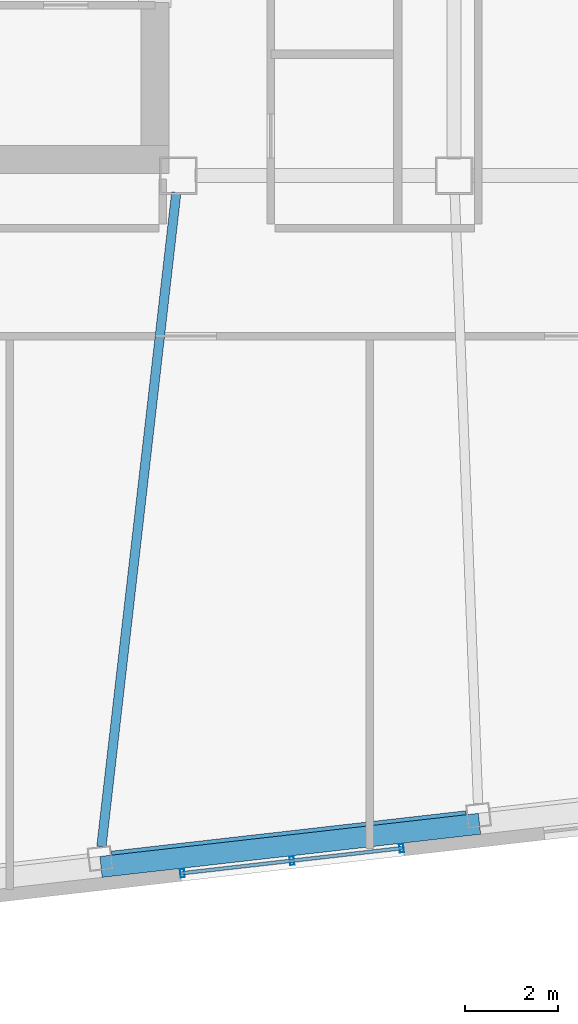
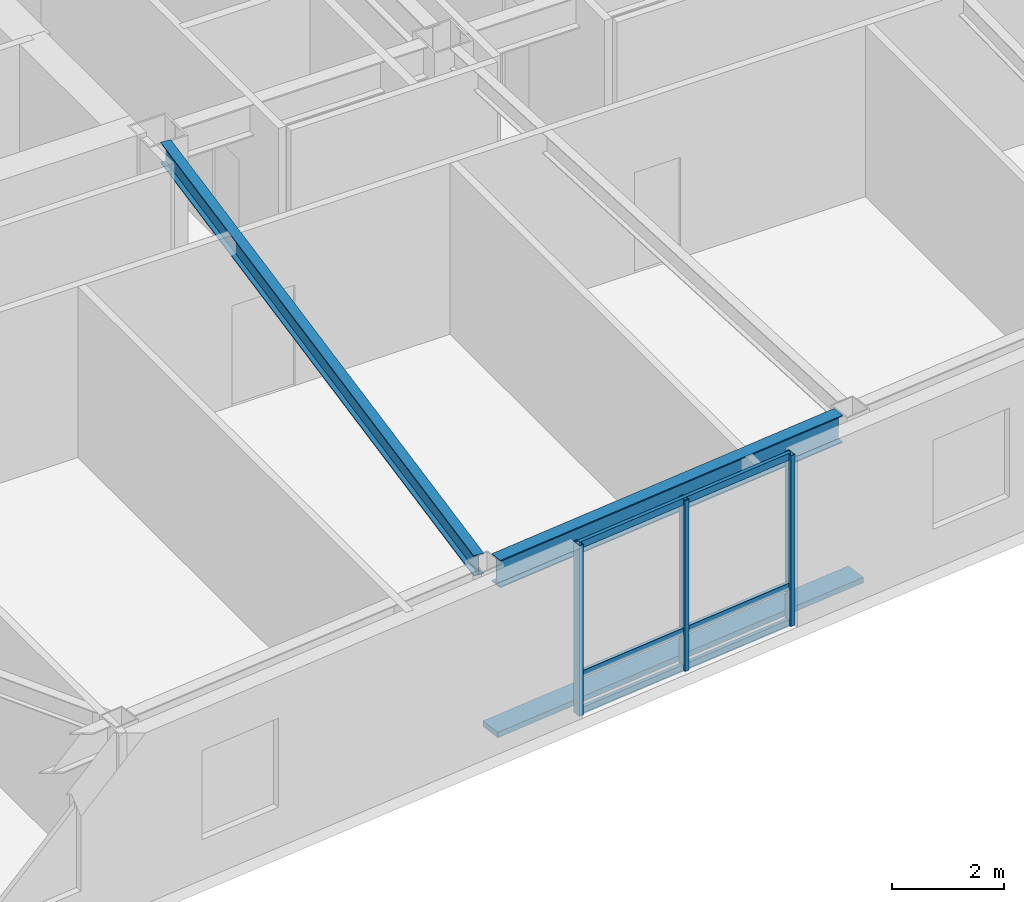
# One storey, part 6 of 21: 7 members, 2 beams, 1 element without a shape of its own.
"""IFC4 building model written with IfcOpenShell, lengths in metres."""

from ifc_helpers import new_model, si_unit, direction, frame, origin, origin_2d, place, context, subcontext, project, spatial, rectangle, hollow_rectangle, i_section, extrude, material, layer, layer_set, material_profile, profile_set, type_object, element, aggregate, save


model = new_model("IFC4")

# Units and contexts
model_context = context("Model", 3, precision=1e-05, world=origin(), true_north=direction((0.0, 1.0)))
body_context = subcontext(model_context, "Body", "Model", "MODEL_VIEW")
ifc_project = project(units=[si_unit("LENGTHUNIT", "METRE"), si_unit("AREAUNIT", "SQUARE_METRE"), si_unit("VOLUMEUNIT", "CUBIC_METRE"), si_unit("PLANEANGLEUNIT", "RADIAN"), si_unit("MASSUNIT", "GRAM", prefix="KILO")], contexts=[model_context])

# Site, building, storey
site_placement = place(None, origin())
site = spatial("IfcSite", under=ifc_project, at=site_placement, CompositionType="ELEMENT")
building_placement = place(site_placement, origin())
building = spatial("IfcBuilding", under=site, at=building_placement, Name="Tavrogorsk Clinical Tower", CompositionType="ELEMENT")
storey_placement = place(building_placement, frame((0.0, 0.0, 247.0)))
storey = spatial("IfcBuildingStorey", under=building, at=storey_placement, Name="L57", CompositionType="ELEMENT", Elevation=247.0)

# Member
ifc_material_1 = material(Name="Anodised aluminium alloy AW-6063", Category="aluminium")
ifc_material_profile_1 = material_profile(ifc_material_1, rectangle(XDim=0.449951171875, YDim=0.1201171875, at=origin_2d()), Name="ALU-SUNSHADE-450x120")
ifc_profile_set_1 = profile_set([ifc_material_profile_1], Name="Anodised aluminium alloy AW-6063")
member_type_1 = type_object("IfcMemberType", Name="ChicagoSunshade_450x120", PredefinedType="USERDEFINED", material=ifc_profile_set_1)
member_1_placement = place(storey_placement, frame((-11.951904296875, -21.136474609375, 0.179931640625), z_axis=(0.9935729766, 0.113193375116, 0.0), x_axis=(-0.113193375116, 0.9935729766, 0.0)))
element("IfcMember", 1, at=member_1_placement, inside=storey, type_object=member_type_1, Name="L57 South Aluminium Sunshade S3", ObjectType="SUNSHADE", PredefinedType="USERDEFINED", context=body_context, shape_type="SweptSolid", body=[
    extrude(rectangle(XDim=0.449951171875, YDim=0.1201171875, at=origin_2d()), origin(), (0.0, 0.0, 1.0), 8.148681640625),
])

# Curtain wall, members
ifc_material_2 = material(Name="Anodised aluminium and triple IGU glazing", Category="aluminium")
ifc_layer = layer(ifc_material_2, 0.179931640625)
ifc_layer_set = layer_set([ifc_layer], Name="Anodised aluminium and triple IGU glazing")
curtain_wall_type = type_object("IfcCurtainWallType", Name="CW3_SouthSlot", PredefinedType="NOTDEFINED", material=ifc_layer_set)
curtain_wall_placement = place(storey_placement, origin())
curtain_wall = element("IfcCurtainWall", 2, at=curtain_wall_placement, inside=storey, type_object=curtain_wall_type, Name="L57 Curtain Wall CW-L57-S-SLOT-1", PredefinedType="NOTDEFINED")
ifc_material_3 = material(Name="Anodised aluminium alloy AW-6060", Category="aluminium")
ifc_material_profile_2 = material_profile(ifc_material_3, hollow_rectangle(XDim=0.090087890625, YDim=0.179931640625, WallThickness=0.00634765625, at=origin_2d()), Name="RHS-180x90x6.3")
ifc_profile_set_2 = profile_set([ifc_material_profile_2], Name="Anodised aluminium alloy AW-6060")
member_type_2 = type_object("IfcMemberType", Name="CwMullion_180x90", PredefinedType="MULLION", material=ifc_profile_set_2)
member_2_placement = place(storey_placement, frame((-10.21044921875, -21.270263671875, 0.0), z_axis=(0.0, 0.0, 1.0), x_axis=(0.993571855603, 0.11320321441, 0.0)))
member_2 = element("IfcMember", 3, at=member_2_placement, type_object=member_type_2, Name="CW-L57-S-SLOT-1 Mullion 1", PredefinedType="MULLION", context=body_context, shape_type="SweptSolid", body=[
    extrude(hollow_rectangle(XDim=0.090087890625, YDim=0.179931640625, WallThickness=0.00634765625, at=origin_2d()), origin(), (0.0, 0.0, 1.0), 3.739990234375),
])
member_3_placement = place(storey_placement, frame((-7.866455078125, -21.003173828125, 0.0), z_axis=(0.0, 0.0, 1.0), x_axis=(0.993571855603, 0.11320321441, 0.0)))
member_3 = element("IfcMember", 4, at=member_3_placement, type_object=member_type_2, Name="CW-L57-S-SLOT-1 Mullion 2", PredefinedType="MULLION", context=body_context, shape_type="SweptSolid", body=[
    extrude(hollow_rectangle(XDim=0.090087890625, YDim=0.179931640625, WallThickness=0.00634765625, at=origin_2d()), origin(), (0.0, 0.0, 1.0), 3.739990234375),
])
member_4_placement = place(storey_placement, frame((-5.522705078125, -20.736083984375, 0.0), z_axis=(0.0, 0.0, 1.0), x_axis=(0.993571855603, 0.11320321441, 0.0)))
member_4 = element("IfcMember", 5, at=member_4_placement, type_object=member_type_2, Name="CW-L57-S-SLOT-1 Mullion 3", PredefinedType="MULLION", context=body_context, shape_type="SweptSolid", body=[
    extrude(hollow_rectangle(XDim=0.090087890625, YDim=0.179931640625, WallThickness=0.00634765625, at=origin_2d()), origin(), (0.0, 0.0, 1.0), 3.739990234375),
])
ifc_material_4 = material(Name="Anodised aluminium alloy AW-6060", Category="aluminium")
ifc_material_profile_3 = material_profile(ifc_material_4, hollow_rectangle(XDim=0.074951171875, YDim=0.14990234375, WallThickness=0.0048828125, at=origin_2d()), Name="RHS-150x75x5")
ifc_profile_set_3 = profile_set([ifc_material_profile_3], Name="Anodised aluminium alloy AW-6060")
member_type_3 = type_object("IfcMemberType", Name="CwTransom_150x75", PredefinedType="USERDEFINED", material=ifc_profile_set_3)
member_5_placement = place(storey_placement, frame((-10.21044921875, -21.270263671875, 0.050048828125), z_axis=(0.993569979218, 0.113219682023, 0.0), x_axis=(-0.113219682023, 0.993569979218, 0.0)))
member_5 = element("IfcMember", 6, at=member_5_placement, type_object=member_type_3, Name="CW-L57-S-SLOT-1 Transom 1", ObjectType="TRANSOM", PredefinedType="USERDEFINED", context=body_context, shape_type="SweptSolid", body=[
    extrude(hollow_rectangle(XDim=0.074951171875, YDim=0.14990234375, WallThickness=0.0048828125, at=origin_2d()), origin(), (0.0, 0.0, 1.0), 4.718017578125),
])
member_6_placement = place(storey_placement, frame((-10.21044921875, -21.270263671875, 0.85009765625), z_axis=(0.993569979218, 0.113219682023, 0.0), x_axis=(-0.113219682023, 0.993569979218, 0.0)))
member_6 = element("IfcMember", 7, at=member_6_placement, type_object=member_type_3, Name="CW-L57-S-SLOT-1 Transom 2", ObjectType="TRANSOM", PredefinedType="USERDEFINED", context=body_context, shape_type="SweptSolid", body=[
    extrude(hollow_rectangle(XDim=0.074951171875, YDim=0.14990234375, WallThickness=0.0048828125, at=origin_2d()), origin(), (0.0, 0.0, 1.0), 4.718017578125),
])
member_7_placement = place(storey_placement, frame((-10.21044921875, -21.270263671875, 3.68994140625), z_axis=(0.993569979218, 0.113219682023, 0.0), x_axis=(-0.113219682023, 0.993569979218, 0.0)))
member_7 = element("IfcMember", 8, at=member_7_placement, type_object=member_type_3, Name="CW-L57-S-SLOT-1 Transom 3", ObjectType="TRANSOM", PredefinedType="USERDEFINED", context=body_context, shape_type="SweptSolid", body=[
    extrude(hollow_rectangle(XDim=0.074951171875, YDim=0.14990234375, WallThickness=0.0048828125, at=origin_2d()), origin(), (0.0, 0.0, 1.0), 4.718017578125),
])
aggregate(curtain_wall, [member_2, member_3, member_4, member_5, member_6, member_7])

# Beams
ifc_material_5 = material(Name="Structural steel S355", Category="steel")
ifc_material_profile_4 = material_profile(ifc_material_5, i_section(OverallWidth=0.199951171875, OverallDepth=0.449951171875, WebThickness=0.011474609375, FlangeThickness=0.01806640625, at=origin_2d()), Name="B-450x200x11.5x18")
ifc_profile_set_4 = profile_set([ifc_material_profile_4], Name="Structural steel S355")
beam_type_1 = type_object("IfcBeamType", Name="FloorBeam_B450", PredefinedType="BEAM", material=ifc_profile_set_4)
beam_1_placement = place(storey_placement, frame((-10.341064453125, -6.707763671875, 3.514892578125), z_axis=(-0.113743110947, -0.993510193562, 0.0), x_axis=(0.993510193562, -0.113743110947, 0.0)))
element("IfcBeam", 9, at=beam_1_placement, inside=storey, type_object=beam_type_1, Name="L57 Radial Floor Beam S3", PredefinedType="BEAM", context=body_context, shape_type="SweptSolid", body=[
    extrude(i_section(OverallWidth=0.199951171875, OverallDepth=0.449951171875, WebThickness=0.011474609375, FlangeThickness=0.01806640625, at=origin_2d()), origin(), (0.0, 0.0, 1.0), 14.084716796875),
])
ifc_material_6 = material(Name="Structural steel S390", Category="steel")
ifc_material_profile_5 = material_profile(ifc_material_6, i_section(OverallWidth=0.260009765625, OverallDepth=0.60009765625, WebThickness=0.014892578125, FlangeThickness=0.02392578125, at=origin_2d()), Name="B-600x260x15x24")
ifc_profile_set_5 = profile_set([ifc_material_profile_5], Name="Structural steel S390")
beam_type_2 = type_object("IfcBeamType", Name="SpandrelBeam_B600", PredefinedType="SPANDREL", material=ifc_profile_set_5)
beam_2_placement = place(storey_placement, frame((-11.716064453125, -20.928466796875, 3.43994140625), z_axis=(0.993572509708, 0.113197473259, 0.0), x_axis=(-0.113197473259, 0.993572509708, 0.0)))
element("IfcBeam", 10, at=beam_2_placement, inside=storey, type_object=beam_type_2, Name="L57 Perimeter Spandrel S3-S4", PredefinedType="SPANDREL", context=body_context, shape_type="SweptSolid", body=[
    extrude(i_section(OverallWidth=0.260009765625, OverallDepth=0.60009765625, WebThickness=0.014892578125, FlangeThickness=0.02392578125, at=origin_2d()), origin(), (0.0, 0.0, 1.0), 7.6328125),
])

save(model, "model.ifc")
